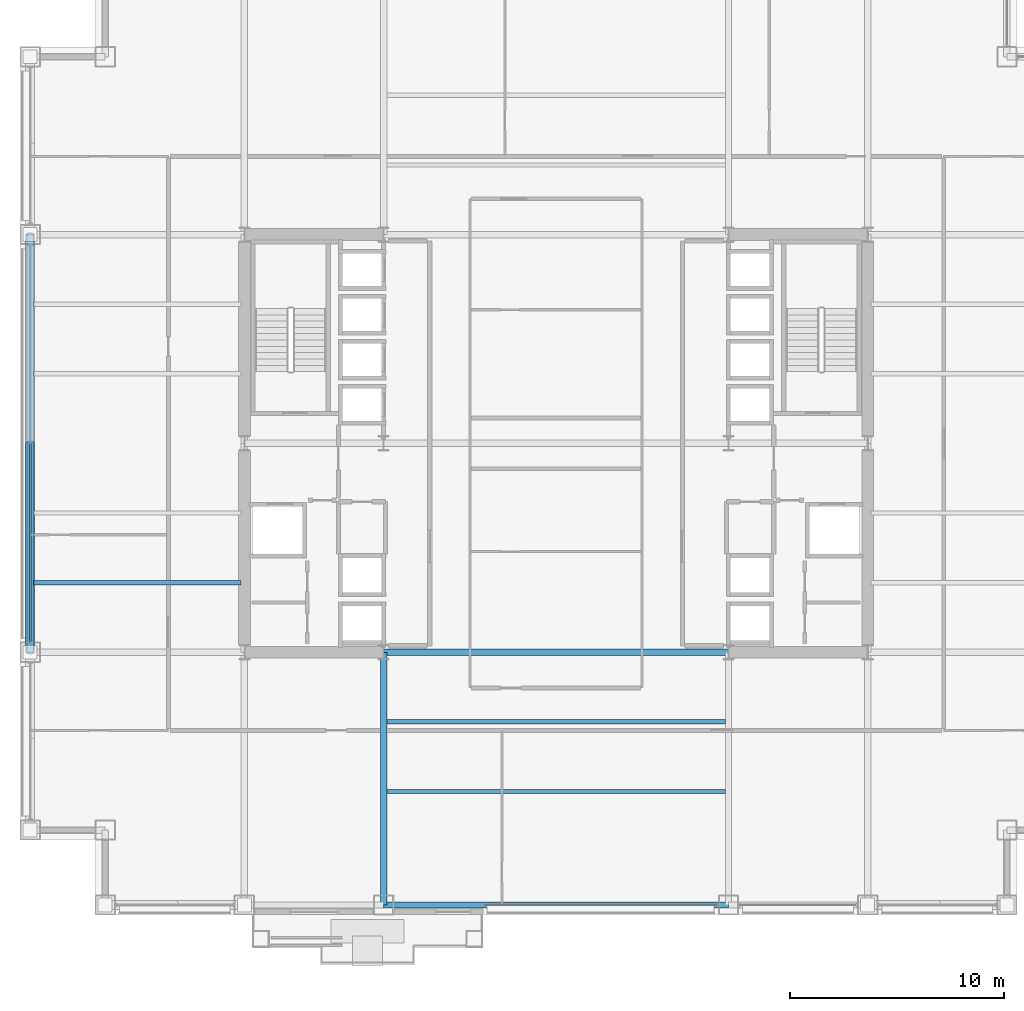
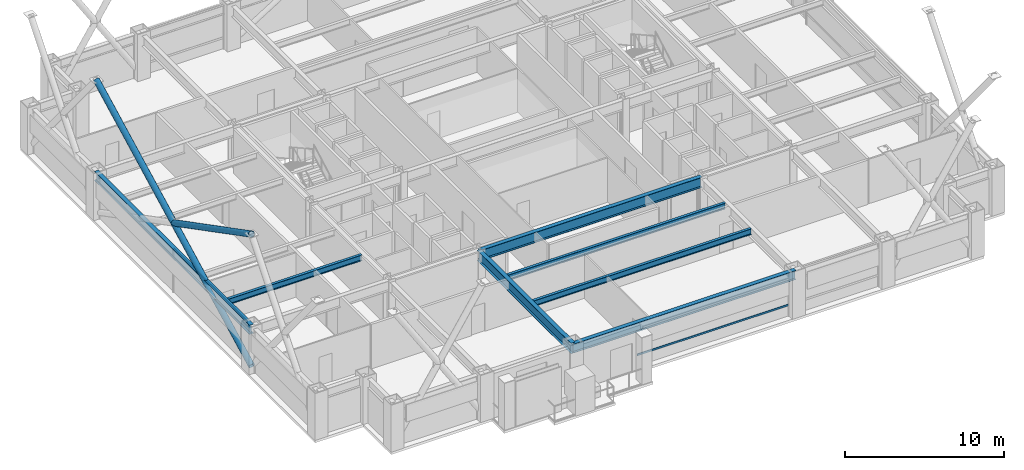
# One storey, part 8 of 33: 7 beams, 4 members, 2 elements without a shape of their own.
"""IFC4 building model written with IfcOpenShell, lengths in metres."""

from ifc_helpers import new_model, si_unit, direction, frame, origin, origin_2d, place, context, subcontext, project, spatial, hollow_rectangle, hollow_circle, i_section, extrude, material, layer, layer_set, material_profile, profile_set, type_object, element, aggregate, save


model = new_model("IFC4")

# Units and contexts
model_context = context("Model", 3, precision=1e-05, world=origin(), true_north=direction((0.0, 1.0)))
body_context = subcontext(model_context, "Body", "Model", "MODEL_VIEW")
ifc_project = project(units=[si_unit("LENGTHUNIT", "METRE"), si_unit("AREAUNIT", "SQUARE_METRE"), si_unit("VOLUMEUNIT", "CUBIC_METRE"), si_unit("PLANEANGLEUNIT", "RADIAN"), si_unit("MASSUNIT", "GRAM", prefix="KILO")], contexts=[model_context])

# Site, building, storey
site_placement = place(None, origin())
site = spatial("IfcSite", under=ifc_project, at=site_placement, CompositionType="ELEMENT")
building_placement = place(site_placement, origin())
building = spatial("IfcBuilding", under=site, at=building_placement, Name="Brelmoor Portico Tower", CompositionType="ELEMENT")
storey_placement = place(building_placement, frame((0.0, 0.0, 34.800048828125)))
storey = spatial("IfcBuildingStorey", under=building, at=storey_placement, Name="L08", CompositionType="ELEMENT", Elevation=34.800048828125)

# Beams
ifc_material_1 = material(Name="Steel Q355B", Category="steel")
ifc_material_profile_1 = material_profile(ifc_material_1, i_section(OverallWidth=0.199951171875, OverallDepth=0.449951171875, WebThickness=0.009033203125, FlangeThickness=0.013916015625, at=origin_2d()), Name="HN 450x200x9x14")
ifc_profile_set_1 = profile_set([ifc_material_profile_1], Name="Steel Q355B")
beam_type_1 = type_object("IfcBeamType", Name="BM-JS-450", PredefinedType="JOIST", material=ifc_profile_set_1)
for number, where, z_axis, x_axis, name in (
    (1, (-7.89990234375, -16.25, 3.175048828125), (1.0, 0.0, 0.0), (0.0, 1.0, 0.0), "L08 Secondary Composite Joist JS-C01"),
    (2, (-7.89990234375, -13.0, 3.175048828125), (1.0, 0.0, 0.0), (0.0, 1.0, 0.0), "L08 Secondary Composite Joist JS-C02"),
):
    element("IfcBeam", number, at=place(storey_placement, frame(where, z_axis=z_axis, x_axis=x_axis)), inside=storey, type_object=beam_type_1, Name=name, PredefinedType="JOIST", context=body_context, shape_type="SweptSolid", body=[
        extrude(i_section(OverallWidth=0.199951171875, OverallDepth=0.449951171875, WebThickness=0.009033203125, FlangeThickness=0.013916015625, at=origin_2d()), origin(), (0.0, 0.0, 1.0), 15.7998046875),
    ])
beam_1_placement = place(storey_placement, frame((-24.39990234375, -6.5, 3.175048828125), z_axis=(1.0, 0.0, 0.0), x_axis=(0.0, 1.0, 0.0)))
element("IfcBeam", 3, at=beam_1_placement, inside=storey, type_object=beam_type_1, Name="L08 Secondary Wing Joist JS-W05", PredefinedType="JOIST", context=body_context, shape_type="SweptSolid", body=[
    extrude(i_section(OverallWidth=0.199951171875, OverallDepth=0.449951171875, WebThickness=0.009033203125, FlangeThickness=0.013916015625, at=origin_2d()), origin(), (0.0, 0.0, 1.0), 9.699951171875),
])
ifc_material_profile_2 = material_profile(ifc_material_1, i_section(OverallWidth=0.300048828125, OverallDepth=0.800048828125, WebThickness=0.013916015625, FlangeThickness=0.02587890625, at=origin_2d()), Name="HN 800x300x14x26")
ifc_profile_set_2 = profile_set([ifc_material_profile_2], Name="Steel Q355B")
beam_type_2 = type_object("IfcBeamType", Name="BM-PG-800", PredefinedType="BEAM", material=ifc_profile_set_2)
beam_2_placement = place(storey_placement, frame((-8.050048828125, -21.550048828125, 3.0), z_axis=(0.0, 1.0, 0.0), x_axis=(-1.0, 0.0, 0.0)))
element("IfcBeam", 4, at=beam_2_placement, inside=storey, type_object=beam_type_2, Name="L08 Primary Floor Girder PG-07", PredefinedType="BEAM", context=body_context, shape_type="SweptSolid", body=[
    extrude(i_section(OverallWidth=0.300048828125, OverallDepth=0.800048828125, WebThickness=0.013916015625, FlangeThickness=0.02587890625, at=origin_2d()), origin(), (0.0, 0.0, 1.0), 11.800048828125),
])
beam_3_placement = place(storey_placement, frame((-8.050048828125, -9.75, 3.0), z_axis=(1.0, 0.0, 0.0), x_axis=(0.0, 1.0, 0.0)))
element("IfcBeam", 5, at=beam_3_placement, inside=storey, type_object=beam_type_2, Name="L08 Primary Floor Girder PG-21", PredefinedType="BEAM", context=body_context, shape_type="SweptSolid", body=[
    extrude(i_section(OverallWidth=0.300048828125, OverallDepth=0.800048828125, WebThickness=0.013916015625, FlangeThickness=0.02587890625, at=origin_2d()), origin(), (0.0, 0.0, 1.0), 16.10009765625),
])
ifc_material_profile_3 = material_profile(ifc_material_1, i_section(OverallWidth=0.300048828125, OverallDepth=0.699951171875, WebThickness=0.012939453125, FlangeThickness=0.02392578125, at=origin_2d()), Name="HN 700x300x13x24")
ifc_profile_set_3 = profile_set([ifc_material_profile_3], Name="Steel Q355B")
beam_type_3 = type_object("IfcBeamType", Name="BM-SP-700", PredefinedType="SPANDREL", material=ifc_profile_set_3)
beam_4_placement = place(storey_placement, frame((-8.050048828125, -21.550048828125, 3.050048828125), z_axis=(1.0, 0.0, 0.0), x_axis=(0.0, 1.0, 0.0)))
element("IfcBeam", 6, at=beam_4_placement, inside=storey, type_object=beam_type_3, Name="L08 Perimeter Spandrel Beam SP-03", PredefinedType="SPANDREL", context=body_context, shape_type="SweptSolid", body=[
    extrude(i_section(OverallWidth=0.300048828125, OverallDepth=0.699951171875, WebThickness=0.012939453125, FlangeThickness=0.02392578125, at=origin_2d()), origin(), (0.0, 0.0, 1.0), 16.10009765625),
])
beam_5_placement = place(storey_placement, frame((-24.550048828125, -9.75, 3.050048828125), z_axis=(0.0, 1.0, 0.0), x_axis=(-1.0, 0.0, 0.0)))
element("IfcBeam", 7, at=beam_5_placement, inside=storey, type_object=beam_type_3, Name="L08 Perimeter Spandrel Beam SP-16", PredefinedType="SPANDREL", context=body_context, shape_type="SweptSolid", body=[
    extrude(i_section(OverallWidth=0.300048828125, OverallDepth=0.699951171875, WebThickness=0.012939453125, FlangeThickness=0.02392578125, at=origin_2d()), origin(), (0.0, 0.0, 1.0), 19.5),
])

# Members
ifc_material_profile_4 = material_profile(ifc_material_1, hollow_circle(Radius=0.212890625, WallThickness=0.02001953125, at=origin_2d()), Name="CHS 426x20")
ifc_profile_set_4 = profile_set([ifc_material_profile_4], Name="Steel Q355B")
member_type_1 = type_object("IfcMemberType", Name="MB-BELT-DIAG1", PredefinedType="BRACE", material=ifc_profile_set_4)
member_1_placement = place(storey_placement, frame((-24.550048828125, -9.75, 0.25), z_axis=(0.0, 0.8879639262, 0.459913106758), x_axis=(-1.0, 0.0, 0.0)))
element("IfcMember", 8, at=member_1_placement, inside=storey, type_object=member_type_1, Name="L08 Continuous Mega-X Brace 014A", PredefinedType="BRACE", context=body_context, shape_type="SweptSolid", body=[
    extrude(hollow_circle(Radius=0.212890625, WallThickness=0.02001953125, at=origin_2d()), origin(), (0.0, 0.0, 1.0), 21.96044921875),
])
member_2_placement = place(storey_placement, frame((-24.550048828125, 0.0, 5.300048828125), z_axis=(0.0, -0.887968466347, 0.459904340894), x_axis=(1.0, 0.0, 0.0)))
element("IfcMember", 9, at=member_2_placement, inside=storey, type_object=member_type_1, Name="L08 Split Mega-X Brace 014B2", PredefinedType="BRACE", context=body_context, shape_type="SweptSolid", body=[
    extrude(hollow_circle(Radius=0.212890625, WallThickness=0.02001953125, at=origin_2d()), origin(), (0.0, 0.0, 1.0), 10.980224609375),
])

# Curtain wall, member
ifc_material_2 = material(Name="Anodised Aluminium Alloy 6063-T6", Category="aluminium")
ifc_layer_1 = layer(ifc_material_2, 0.179931640625)
ifc_layer_set_1 = layer_set([ifc_layer_1], Name="Anodised Aluminium Alloy 6063-T6")
curtain_wall_type_1 = type_object("IfcCurtainWallType", Name="CW-TOWER-Z1", PredefinedType="NOTDEFINED", material=ifc_layer_set_1)
curtain_wall_1_placement = place(storey_placement, origin())
curtain_wall_1 = element("IfcCurtainWall", 10, at=curtain_wall_1_placement, inside=storey, type_object=curtain_wall_type_1, Name="L08 Curtain Wall CW-L08-1R-1", PredefinedType="NOTDEFINED")
ifc_material_profile_5 = material_profile(ifc_material_2, hollow_rectangle(XDim=0.06494140625, YDim=0.139892578125, WallThickness=0.00390625, at=origin_2d()), Name="ALU TRANSOM 65x140")
ifc_profile_set_5 = profile_set([ifc_material_profile_5], Name="Anodised Aluminium Alloy 6063-T6")
member_type_2 = type_object("IfcMemberType", Name="MB-CW-TRAN-140", PredefinedType="USERDEFINED", material=ifc_profile_set_5)
member_3_placement = place(storey_placement, frame((-3.39990234375, -21.550048828125, 0.849853515625), z_axis=(1.0, 0.0, 0.0), x_axis=(0.0, 1.0, 0.0)))
member_3 = element("IfcMember", 11, at=member_3_placement, type_object=member_type_2, Name="CW-L08-1R-1 Transom 1-00", ObjectType="TRANSOM", PredefinedType="USERDEFINED", context=body_context, shape_type="SweptSolid", body=[
    extrude(hollow_rectangle(XDim=0.06494140625, YDim=0.139892578125, WallThickness=0.00390625, at=origin_2d()), origin(), (0.0, 0.0, 1.0), 10.96484375),
])
aggregate(curtain_wall_1, [member_3])

ifc_layer_2 = layer(ifc_material_2, 0.179931640625)
ifc_layer_set_2 = layer_set([ifc_layer_2], Name="Anodised Aluminium Alloy 6063-T6")
curtain_wall_type_2 = type_object("IfcCurtainWallType", Name="CW-TOWER-Z1-XB", PredefinedType="NOTDEFINED", material=ifc_layer_set_2)
curtain_wall_2_placement = place(storey_placement, origin())
curtain_wall_2 = element("IfcCurtainWall", 12, at=curtain_wall_2_placement, inside=storey, type_object=curtain_wall_type_2, Name="L08 Curtain Wall CW-L08-03-2", PredefinedType="NOTDEFINED")
member_4_placement = place(storey_placement, frame((-24.550048828125, -9.264892578125, 3.329833984375), z_axis=(0.0, 1.0, 0.0), x_axis=(-1.0, 0.0, 0.0)))
member_4 = element("IfcMember", 13, at=member_4_placement, type_object=member_type_2, Name="CW-L08-03-2 Transom 1-00", ObjectType="TRANSOM", PredefinedType="USERDEFINED", context=body_context, shape_type="SweptSolid", body=[
    extrude(hollow_rectangle(XDim=0.06494140625, YDim=0.139892578125, WallThickness=0.00390625, at=origin_2d()), origin(), (0.0, 0.0, 1.0), 9.264892578125),
])
aggregate(curtain_wall_2, [member_4])

save(model, "model.ifc")
